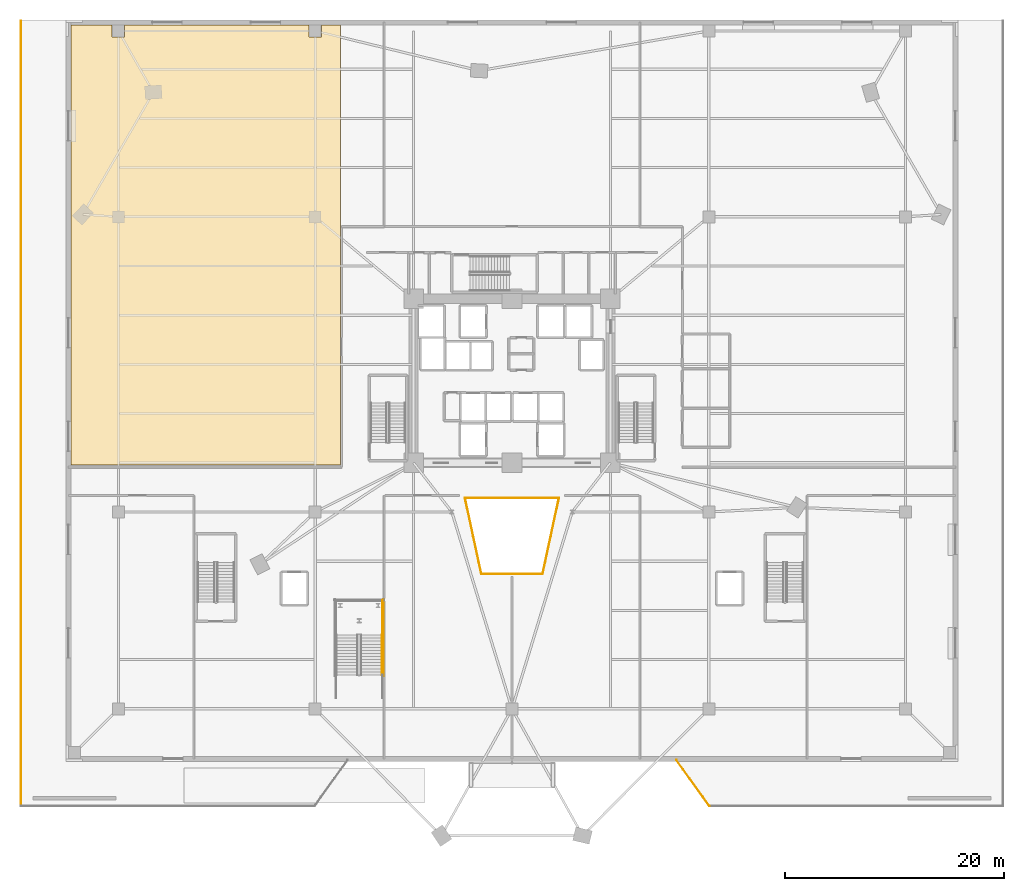
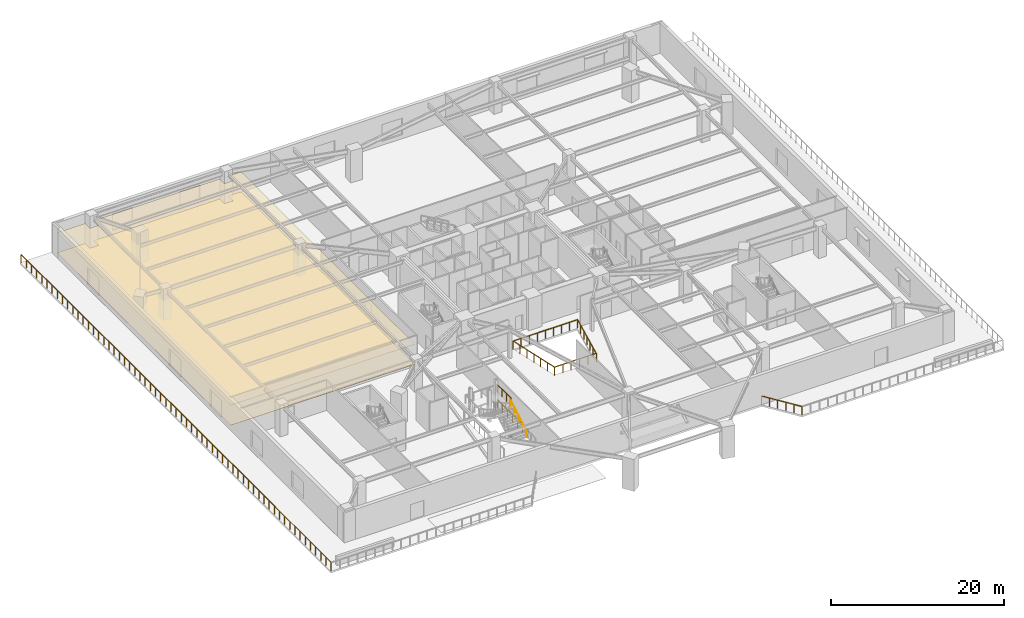
# One storey, part 16 of 19: 9 railings, 2 coverings.
"""IFC4 building model written with IfcOpenShell, lengths in metres."""

from ifc_helpers import new_model, si_unit, direction, frame, origin, origin_2d, place, context, subcontext, project, spatial, polyline, rectangle, outline, extrude, material, layer, layer_set, type_object, element, save


model = new_model("IFC4")

# Units and contexts
model_context = context("Model", 3, precision=1e-05, world=origin(), true_north=direction((0.0, 1.0)))
body_context = subcontext(model_context, "Body", "Model", "MODEL_VIEW")
ifc_project = project(units=[si_unit("LENGTHUNIT", "METRE"), si_unit("AREAUNIT", "SQUARE_METRE"), si_unit("VOLUMEUNIT", "CUBIC_METRE"), si_unit("PLANEANGLEUNIT", "RADIAN"), si_unit("MASSUNIT", "GRAM", prefix="KILO")], contexts=[model_context])

# Site, building, storey
site_placement = place(None, origin())
site = spatial("IfcSite", under=ifc_project, at=site_placement, CompositionType="ELEMENT")
building_placement = place(site_placement, origin())
building = spatial("IfcBuilding", under=site, at=building_placement, Name="Liaohun Quay Tower", CompositionType="ELEMENT")
storey_placement = place(building_placement, frame((0.0, 0.0, 9.89990234375)))
storey = spatial("IfcBuildingStorey", under=building, at=storey_placement, Name="L03", CompositionType="ELEMENT", Elevation=9.89990234375)

# Coverings
ifc_material_1 = material(Name="Mineral-fibre acoustic ceiling tile")
ifc_layer_1 = layer(ifc_material_1, 0.02490234375, Name="Mineral-fibre acoustic ceiling tile")
ifc_layer_set_1 = layer_set([ifc_layer_1], Name="Mineral-fibre acoustic ceiling tile")
covering_type_1 = type_object("IfcCoveringType", Name="COV-CEIL-ACT", PredefinedType="CEILING", material=ifc_layer_set_1)
covering_1_placement = place(storey_placement, frame((0.0, 0.0, 2.85009765625)))
element("IfcCovering", 1, at=covering_1_placement, inside=storey, type_object=covering_type_1, Name="L03 Simultaneous Interpretation Studio Acoustic Ceiling", PredefinedType="CEILING", context=body_context, shape_type="SweptSolid", body=[
    extrude(outline(polyline([(42.570068359375, 86.52001953125), (42.570068359375, 85.429931640625), (41.429931640625, 85.429931640625), (41.429931640625, 86.52001953125), (24.570068359375, 86.52001953125), (24.570068359375, 85.429931640625), (23.429931640625, 85.429931640625), (23.429931640625, 86.52001953125), (19.679931640625, 86.52001953125), (19.679931640625, 46.300048828125), (44.300048828125, 46.300048828125), (44.300048828125, 86.52001953125), (42.570068359375, 86.52001953125)])), origin(), (0.0, 0.0, 1.0), 0.02490234375),
])
ifc_material_2 = material(Name="Calcium-sulphate raised access floor tile")
ifc_layer_2 = layer(ifc_material_2, 0.044921875, Name="Calcium-sulphate raised access floor tile")
ifc_layer_set_2 = layer_set([ifc_layer_2], Name="Calcium-sulphate raised access floor tile")
covering_type_2 = type_object("IfcCoveringType", Name="COV-FLR-RAF", PredefinedType="FLOORING", material=ifc_layer_set_2)
covering_2_placement = place(storey_placement, origin())
element("IfcCovering", 2, at=covering_2_placement, inside=storey, type_object=covering_type_2, Name="L03 Simultaneous Interpretation Studio Floor Finish", PredefinedType="FLOORING", context=body_context, shape_type="SweptSolid", body=[
    extrude(outline(polyline([(42.570068359375, 86.52001953125), (42.570068359375, 85.429931640625), (41.429931640625, 85.429931640625), (41.429931640625, 86.52001953125), (24.570068359375, 86.52001953125), (24.570068359375, 85.429931640625), (23.429931640625, 85.429931640625), (23.429931640625, 86.52001953125), (19.679931640625, 86.52001953125), (19.679931640625, 46.300048828125), (44.300048828125, 46.300048828125), (44.300048828125, 86.52001953125), (42.570068359375, 86.52001953125)])), origin(), (0.0, 0.0, 1.0), 0.045166015625),
])

# Railings
ifc_material_3 = material(Name="Laminated safety glass and stainless steel", Category="steel")
railing_type_1 = type_object("IfcRailingType", Name="RLG-GUARD-ATR", PredefinedType="BALUSTRADE", material=ifc_material_3)
railing_1_placement = place(storey_placement, frame((48.14990234375, 30.739990234375, 2.25)))
element("IfcRailing", 3, at=railing_1_placement, inside=storey, type_object=railing_type_1, Name="L03 ST-A stair guard 3", PredefinedType="BALUSTRADE", context=body_context, shape_type="SweptSolid", body=[
    extrude(rectangle(XDim=0.048095703125, YDim=0.048095703125, at=origin_2d()), frame((0.0, 0.0, 1.1259765625), z_axis=(0.0, 1.0, 0.0), x_axis=(-1.0, 0.0, 0.0)), (0.0, 0.0, 1.0), 3.159912109375),
    extrude(rectangle(XDim=0.0419921875, YDim=0.0419921875, at=origin_2d()), origin(), (0.0, 0.0, 1.0), 1.101806640625),
    extrude(rectangle(XDim=0.0419921875, YDim=0.0419921875, at=origin_2d()), frame((0.0, 1.05322265625, 0.0)), (0.0, 0.0, 1.0), 1.101806640625),
    extrude(rectangle(XDim=0.0419921875, YDim=0.0419921875, at=origin_2d()), frame((0.0, 2.106689453125, 0.0)), (0.0, 0.0, 1.0), 1.101806640625),
    extrude(rectangle(XDim=0.0419921875, YDim=0.0419921875, at=origin_2d()), frame((0.0, 3.159912109375, 0.0)), (0.0, 0.0, 1.0), 1.101806640625),
])
railing_2_placement = place(storey_placement, frame((48.25, 27.0, 0.0)))
element("IfcRailing", 4, at=railing_2_placement, inside=storey, type_object=railing_type_1, Name="L03 ST-A stair guard 10", PredefinedType="BALUSTRADE", context=body_context, shape_type="SweptSolid", body=[
    extrude(rectangle(XDim=0.048095703125, YDim=0.048095703125, at=origin_2d()), frame((0.0, 0.0, 1.1259765625), z_axis=(0.0, 1.0, 0.0), x_axis=(-1.0, 0.0, 0.0)), (0.0, 0.0, 1.0), 7.0),
    extrude(rectangle(XDim=0.0419921875, YDim=0.0419921875, at=origin_2d()), origin(), (0.0, 0.0, 1.0), 1.101806640625),
    extrude(rectangle(XDim=0.0419921875, YDim=0.0419921875, at=origin_2d()), frame((0.0, 1.166748046875, 0.0)), (0.0, 0.0, 1.0), 1.101806640625),
    extrude(rectangle(XDim=0.0419921875, YDim=0.0419921875, at=origin_2d()), frame((0.0, 2.333251953125, 0.0)), (0.0, 0.0, 1.0), 1.101806640625),
    extrude(rectangle(XDim=0.0419921875, YDim=0.0419921875, at=origin_2d()), frame((0.0, 3.5, 0.0)), (0.0, 0.0, 1.0), 1.101806640625),
    extrude(rectangle(XDim=0.0419921875, YDim=0.0419921875, at=origin_2d()), frame((0.0, 4.666748046875, 0.0)), (0.0, 0.0, 1.0), 1.101806640625),
    extrude(rectangle(XDim=0.0419921875, YDim=0.0419921875, at=origin_2d()), frame((0.0, 5.833251953125, 0.0)), (0.0, 0.0, 1.0), 1.101806640625),
    extrude(rectangle(XDim=0.0419921875, YDim=0.0419921875, at=origin_2d()), frame((0.0, 7.0, 0.0)), (0.0, 0.0, 1.0), 1.101806640625),
])
railing_3_placement = place(storey_placement, frame((57.205078125, 36.320068359375, 0.0)))
element("IfcRailing", 5, at=railing_3_placement, inside=storey, type_object=railing_type_1, Name="L03 Atrium Edge Balustrade 1", PredefinedType="BALUSTRADE", context=body_context, shape_type="SweptSolid", body=[
    extrude(rectangle(XDim=0.048095703125, YDim=0.048095703125, at=origin_2d()), frame((0.0, 0.0, 1.17578125), z_axis=(-0.211238067479, 0.977434641727, 0.0), x_axis=(-0.977434641727, -0.211238067479, 0.0)), (0.0, 0.0, 1.0), 7.12060546875),
    extrude(rectangle(XDim=0.0419921875, YDim=0.0419921875, at=origin_2d()), origin(), (0.0, 0.0, 1.0), 1.15185546875),
    extrude(rectangle(XDim=0.0419921875, YDim=0.0419921875, at=origin_2d()), frame((-0.250732421875, 1.159912109375, 0.0)), (0.0, 0.0, 1.0), 1.15185546875),
    extrude(rectangle(XDim=0.0419921875, YDim=0.0419921875, at=origin_2d()), frame((-0.50146484375, 2.320068359375, 0.0)), (0.0, 0.0, 1.0), 1.15185546875),
    extrude(rectangle(XDim=0.0419921875, YDim=0.0419921875, at=origin_2d()), frame((-0.751953125, 3.47998046875, 0.0)), (0.0, 0.0, 1.0), 1.15185546875),
    extrude(rectangle(XDim=0.0419921875, YDim=0.0419921875, at=origin_2d()), frame((-1.002685546875, 4.639892578125, 0.0)), (0.0, 0.0, 1.0), 1.15185546875),
    extrude(rectangle(XDim=0.0419921875, YDim=0.0419921875, at=origin_2d()), frame((-1.25341796875, 5.800048828125, 0.0)), (0.0, 0.0, 1.0), 1.15185546875),
    extrude(rectangle(XDim=0.0419921875, YDim=0.0419921875, at=origin_2d()), frame((-1.504150390625, 6.9599609375, 0.0)), (0.0, 0.0, 1.0), 1.15185546875),
])
railing_4_placement = place(storey_placement, frame((55.700927734375, 43.280029296875, 0.0)))
element("IfcRailing", 6, at=railing_4_placement, inside=storey, type_object=railing_type_1, Name="L03 Atrium Edge Balustrade 2", PredefinedType="BALUSTRADE", context=body_context, shape_type="SweptSolid", body=[
    extrude(rectangle(XDim=0.048095703125, YDim=0.048095703125, at=origin_2d()), frame((0.0, 0.0, 1.17578125), z_axis=(1.0, 0.0, 0.0), x_axis=(0.0, 1.0, 0.0)), (0.0, 0.0, 1.0), 8.59814453125),
    extrude(rectangle(XDim=0.0419921875, YDim=0.0419921875, at=origin_2d()), origin(), (0.0, 0.0, 1.0), 1.15185546875),
    extrude(rectangle(XDim=0.0419921875, YDim=0.0419921875, at=origin_2d()), frame((1.07470703125, 0.0, 0.0)), (0.0, 0.0, 1.0), 1.15185546875),
    extrude(rectangle(XDim=0.0419921875, YDim=0.0419921875, at=origin_2d()), frame((2.1494140625, 0.0, 0.0)), (0.0, 0.0, 1.0), 1.15185546875),
    extrude(rectangle(XDim=0.0419921875, YDim=0.0419921875, at=origin_2d()), frame((3.224365234375, 0.0, 0.0)), (0.0, 0.0, 1.0), 1.15185546875),
    extrude(rectangle(XDim=0.0419921875, YDim=0.0419921875, at=origin_2d()), frame((4.299072265625, 0.0, 0.0)), (0.0, 0.0, 1.0), 1.15185546875),
    extrude(rectangle(XDim=0.0419921875, YDim=0.0419921875, at=origin_2d()), frame((5.373779296875, 0.0, 0.0)), (0.0, 0.0, 1.0), 1.15185546875),
    extrude(rectangle(XDim=0.0419921875, YDim=0.0419921875, at=origin_2d()), frame((6.44873046875, 0.0, 0.0)), (0.0, 0.0, 1.0), 1.15185546875),
    extrude(rectangle(XDim=0.0419921875, YDim=0.0419921875, at=origin_2d()), frame((7.5234375, 0.0, 0.0)), (0.0, 0.0, 1.0), 1.15185546875),
    extrude(rectangle(XDim=0.0419921875, YDim=0.0419921875, at=origin_2d()), frame((8.59814453125, 0.0, 0.0)), (0.0, 0.0, 1.0), 1.15185546875),
])
railing_5_placement = place(storey_placement, frame((64.299072265625, 43.280029296875, 0.0)))
element("IfcRailing", 7, at=railing_5_placement, inside=storey, type_object=railing_type_1, Name="L03 Atrium Edge Balustrade 3", PredefinedType="BALUSTRADE", context=body_context, shape_type="SweptSolid", body=[
    extrude(rectangle(XDim=0.048095703125, YDim=0.048095703125, at=origin_2d()), frame((0.0, 0.0, 1.17578125), z_axis=(-0.211238067479, -0.977434641727, 0.0), x_axis=(0.977434641727, -0.211238067479, 0.0)), (0.0, 0.0, 1.0), 7.12060546875),
    extrude(rectangle(XDim=0.0419921875, YDim=0.0419921875, at=origin_2d()), origin(), (0.0, 0.0, 1.0), 1.15185546875),
    extrude(rectangle(XDim=0.0419921875, YDim=0.0419921875, at=origin_2d()), frame((-0.250732421875, -1.159912109375, 0.0)), (0.0, 0.0, 1.0), 1.15185546875),
    extrude(rectangle(XDim=0.0419921875, YDim=0.0419921875, at=origin_2d()), frame((-0.50146484375, -2.320068359375, 0.0)), (0.0, 0.0, 1.0), 1.15185546875),
    extrude(rectangle(XDim=0.0419921875, YDim=0.0419921875, at=origin_2d()), frame((-0.751953125, -3.47998046875, 0.0)), (0.0, 0.0, 1.0), 1.15185546875),
    extrude(rectangle(XDim=0.0419921875, YDim=0.0419921875, at=origin_2d()), frame((-1.002685546875, -4.639892578125, 0.0)), (0.0, 0.0, 1.0), 1.15185546875),
    extrude(rectangle(XDim=0.0419921875, YDim=0.0419921875, at=origin_2d()), frame((-1.25341796875, -5.800048828125, 0.0)), (0.0, 0.0, 1.0), 1.15185546875),
    extrude(rectangle(XDim=0.0419921875, YDim=0.0419921875, at=origin_2d()), frame((-1.504150390625, -6.9599609375, 0.0)), (0.0, 0.0, 1.0), 1.15185546875),
])
railing_6_placement = place(storey_placement, frame((62.794921875, 36.320068359375, 0.0)))
element("IfcRailing", 8, at=railing_6_placement, inside=storey, type_object=railing_type_1, Name="L03 Atrium Edge Balustrade 4", PredefinedType="BALUSTRADE", context=body_context, shape_type="SweptSolid", body=[
    extrude(rectangle(XDim=0.048095703125, YDim=0.048095703125, at=origin_2d()), frame((0.0, 0.0, 1.17578125), z_axis=(-1.0, 0.0, 0.0), x_axis=(0.0, -1.0, 0.0)), (0.0, 0.0, 1.0), 5.58984375),
    extrude(rectangle(XDim=0.0419921875, YDim=0.0419921875, at=origin_2d()), origin(), (0.0, 0.0, 1.0), 1.15185546875),
    extrude(rectangle(XDim=0.0419921875, YDim=0.0419921875, at=origin_2d()), frame((-1.117919921875, 0.0, 0.0)), (0.0, 0.0, 1.0), 1.15185546875),
    extrude(rectangle(XDim=0.0419921875, YDim=0.0419921875, at=origin_2d()), frame((-2.23583984375, 0.0, 0.0)), (0.0, 0.0, 1.0), 1.15185546875),
    extrude(rectangle(XDim=0.0419921875, YDim=0.0419921875, at=origin_2d()), frame((-3.35400390625, 0.0, 0.0)), (0.0, 0.0, 1.0), 1.15185546875),
    extrude(rectangle(XDim=0.0419921875, YDim=0.0419921875, at=origin_2d()), frame((-4.471923828125, 0.0, 0.0)), (0.0, 0.0, 1.0), 1.15185546875),
    extrude(rectangle(XDim=0.0419921875, YDim=0.0419921875, at=origin_2d()), frame((-5.58984375, 0.0, 0.0)), (0.0, 0.0, 1.0), 1.15185546875),
])
ifc_material_4 = material(Name="Galvanised and powder-coated steel", Category="steel")
railing_type_2 = type_object("IfcRailingType", Name="RLG-GUARD-EXT", PredefinedType="GUARDRAIL", material=ifc_material_4)
railing_7_placement = place(storey_placement, frame((15.10009765625, 15.10009765625, 0.0)))
element("IfcRailing", 9, at=railing_7_placement, inside=storey, type_object=railing_type_2, Name="L03 Stepped Podium Terrace Guardrail 01", PredefinedType="GUARDRAIL", context=body_context, shape_type="SweptSolid", body=[
    extrude(rectangle(XDim=0.048095703125, YDim=0.048095703125, at=origin_2d()), frame((0.0, 0.0, 1.17578125), z_axis=(0.0, 1.0, 0.0), x_axis=(-1.0, 0.0, 0.0)), (0.0, 0.0, 1.0), 71.7998046875),
    extrude(rectangle(XDim=0.0419921875, YDim=0.0419921875, at=origin_2d()), origin(), (0.0, 0.0, 1.0), 1.15185546875),
    extrude(rectangle(XDim=0.0419921875, YDim=0.0419921875, at=origin_2d()), frame((0.0, 1.19677734375, 0.0)), (0.0, 0.0, 1.0), 1.15185546875),
    extrude(rectangle(XDim=0.0419921875, YDim=0.0419921875, at=origin_2d()), frame((0.0, 2.393310546875, 0.0)), (0.0, 0.0, 1.0), 1.15185546875),
    extrude(rectangle(XDim=0.0419921875, YDim=0.0419921875, at=origin_2d()), frame((0.0, 3.590087890625, 0.0)), (0.0, 0.0, 1.0), 1.15185546875),
    extrude(rectangle(XDim=0.0419921875, YDim=0.0419921875, at=origin_2d()), frame((0.0, 4.78662109375, 0.0)), (0.0, 0.0, 1.0), 1.15185546875),
    extrude(rectangle(XDim=0.0419921875, YDim=0.0419921875, at=origin_2d()), frame((0.0, 5.9833984375, 0.0)), (0.0, 0.0, 1.0), 1.15185546875),
    extrude(rectangle(XDim=0.0419921875, YDim=0.0419921875, at=origin_2d()), frame((0.0, 7.179931640625, 0.0)), (0.0, 0.0, 1.0), 1.15185546875),
    extrude(rectangle(XDim=0.0419921875, YDim=0.0419921875, at=origin_2d()), frame((0.0, 8.376708984375, 0.0)), (0.0, 0.0, 1.0), 1.15185546875),
    extrude(rectangle(XDim=0.0419921875, YDim=0.0419921875, at=origin_2d()), frame((0.0, 9.5732421875, 0.0)), (0.0, 0.0, 1.0), 1.15185546875),
    extrude(rectangle(XDim=0.0419921875, YDim=0.0419921875, at=origin_2d()), frame((0.0, 10.77001953125, 0.0)), (0.0, 0.0, 1.0), 1.15185546875),
    extrude(rectangle(XDim=0.0419921875, YDim=0.0419921875, at=origin_2d()), frame((0.0, 11.966552734375, 0.0)), (0.0, 0.0, 1.0), 1.15185546875),
    extrude(rectangle(XDim=0.0419921875, YDim=0.0419921875, at=origin_2d()), frame((0.0, 13.163330078125, 0.0)), (0.0, 0.0, 1.0), 1.15185546875),
    extrude(rectangle(XDim=0.0419921875, YDim=0.0419921875, at=origin_2d()), frame((0.0, 14.35986328125, 0.0)), (0.0, 0.0, 1.0), 1.15185546875),
    extrude(rectangle(XDim=0.0419921875, YDim=0.0419921875, at=origin_2d()), frame((0.0, 15.556640625, 0.0)), (0.0, 0.0, 1.0), 1.15185546875),
    extrude(rectangle(XDim=0.0419921875, YDim=0.0419921875, at=origin_2d()), frame((0.0, 16.753173828125, 0.0)), (0.0, 0.0, 1.0), 1.15185546875),
    extrude(rectangle(XDim=0.0419921875, YDim=0.0419921875, at=origin_2d()), frame((0.0, 17.949951171875, 0.0)), (0.0, 0.0, 1.0), 1.15185546875),
    extrude(rectangle(XDim=0.0419921875, YDim=0.0419921875, at=origin_2d()), frame((0.0, 19.146728515625, 0.0)), (0.0, 0.0, 1.0), 1.15185546875),
    extrude(rectangle(XDim=0.0419921875, YDim=0.0419921875, at=origin_2d()), frame((0.0, 20.34326171875, 0.0)), (0.0, 0.0, 1.0), 1.15185546875),
    extrude(rectangle(XDim=0.0419921875, YDim=0.0419921875, at=origin_2d()), frame((0.0, 21.5400390625, 0.0)), (0.0, 0.0, 1.0), 1.15185546875),
    extrude(rectangle(XDim=0.0419921875, YDim=0.0419921875, at=origin_2d()), frame((0.0, 22.736572265625, 0.0)), (0.0, 0.0, 1.0), 1.15185546875),
    extrude(rectangle(XDim=0.0419921875, YDim=0.0419921875, at=origin_2d()), frame((0.0, 23.933349609375, 0.0)), (0.0, 0.0, 1.0), 1.15185546875),
    extrude(rectangle(XDim=0.0419921875, YDim=0.0419921875, at=origin_2d()), frame((0.0, 25.1298828125, 0.0)), (0.0, 0.0, 1.0), 1.15185546875),
    extrude(rectangle(XDim=0.0419921875, YDim=0.0419921875, at=origin_2d()), frame((0.0, 26.32666015625, 0.0)), (0.0, 0.0, 1.0), 1.15185546875),
    extrude(rectangle(XDim=0.0419921875, YDim=0.0419921875, at=origin_2d()), frame((0.0, 27.523193359375, 0.0)), (0.0, 0.0, 1.0), 1.15185546875),
    extrude(rectangle(XDim=0.0419921875, YDim=0.0419921875, at=origin_2d()), frame((0.0, 28.719970703125, 0.0)), (0.0, 0.0, 1.0), 1.15185546875),
    extrude(rectangle(XDim=0.0419921875, YDim=0.0419921875, at=origin_2d()), frame((0.0, 29.91650390625, 0.0)), (0.0, 0.0, 1.0), 1.15185546875),
    extrude(rectangle(XDim=0.0419921875, YDim=0.0419921875, at=origin_2d()), frame((0.0, 31.11328125, 0.0)), (0.0, 0.0, 1.0), 1.15185546875),
    extrude(rectangle(XDim=0.0419921875, YDim=0.0419921875, at=origin_2d()), frame((0.0, 32.309814453125, 0.0)), (0.0, 0.0, 1.0), 1.15185546875),
    extrude(rectangle(XDim=0.0419921875, YDim=0.0419921875, at=origin_2d()), frame((0.0, 33.506591796875, 0.0)), (0.0, 0.0, 1.0), 1.15185546875),
    extrude(rectangle(XDim=0.0419921875, YDim=0.0419921875, at=origin_2d()), frame((0.0, 34.703125, 0.0)), (0.0, 0.0, 1.0), 1.15185546875),
    extrude(rectangle(XDim=0.0419921875, YDim=0.0419921875, at=origin_2d()), frame((0.0, 35.89990234375, 0.0)), (0.0, 0.0, 1.0), 1.15185546875),
    extrude(rectangle(XDim=0.0419921875, YDim=0.0419921875, at=origin_2d()), frame((0.0, 37.0966796875, 0.0)), (0.0, 0.0, 1.0), 1.15185546875),
    extrude(rectangle(XDim=0.0419921875, YDim=0.0419921875, at=origin_2d()), frame((0.0, 38.293212890625, 0.0)), (0.0, 0.0, 1.0), 1.15185546875),
    extrude(rectangle(XDim=0.0419921875, YDim=0.0419921875, at=origin_2d()), frame((0.0, 39.489990234375, 0.0)), (0.0, 0.0, 1.0), 1.15185546875),
    extrude(rectangle(XDim=0.0419921875, YDim=0.0419921875, at=origin_2d()), frame((0.0, 40.6865234375, 0.0)), (0.0, 0.0, 1.0), 1.15185546875),
    extrude(rectangle(XDim=0.0419921875, YDim=0.0419921875, at=origin_2d()), frame((0.0, 41.88330078125, 0.0)), (0.0, 0.0, 1.0), 1.15185546875),
    extrude(rectangle(XDim=0.0419921875, YDim=0.0419921875, at=origin_2d()), frame((0.0, 43.079833984375, 0.0)), (0.0, 0.0, 1.0), 1.15185546875),
    extrude(rectangle(XDim=0.0419921875, YDim=0.0419921875, at=origin_2d()), frame((0.0, 44.276611328125, 0.0)), (0.0, 0.0, 1.0), 1.15185546875),
    extrude(rectangle(XDim=0.0419921875, YDim=0.0419921875, at=origin_2d()), frame((0.0, 45.47314453125, 0.0)), (0.0, 0.0, 1.0), 1.15185546875),
    extrude(rectangle(XDim=0.0419921875, YDim=0.0419921875, at=origin_2d()), frame((0.0, 46.669921875, 0.0)), (0.0, 0.0, 1.0), 1.15185546875),
    extrude(rectangle(XDim=0.0419921875, YDim=0.0419921875, at=origin_2d()), frame((0.0, 47.866455078125, 0.0)), (0.0, 0.0, 1.0), 1.15185546875),
    extrude(rectangle(XDim=0.0419921875, YDim=0.0419921875, at=origin_2d()), frame((0.0, 49.063232421875, 0.0)), (0.0, 0.0, 1.0), 1.15185546875),
    extrude(rectangle(XDim=0.0419921875, YDim=0.0419921875, at=origin_2d()), frame((0.0, 50.259765625, 0.0)), (0.0, 0.0, 1.0), 1.15185546875),
    extrude(rectangle(XDim=0.0419921875, YDim=0.0419921875, at=origin_2d()), frame((0.0, 51.45654296875, 0.0)), (0.0, 0.0, 1.0), 1.15185546875),
    extrude(rectangle(XDim=0.0419921875, YDim=0.0419921875, at=origin_2d()), frame((0.0, 52.653076171875, 0.0)), (0.0, 0.0, 1.0), 1.15185546875),
    extrude(rectangle(XDim=0.0419921875, YDim=0.0419921875, at=origin_2d()), frame((0.0, 53.849853515625, 0.0)), (0.0, 0.0, 1.0), 1.15185546875),
    extrude(rectangle(XDim=0.0419921875, YDim=0.0419921875, at=origin_2d()), frame((0.0, 55.046630859375, 0.0)), (0.0, 0.0, 1.0), 1.15185546875),
    extrude(rectangle(XDim=0.0419921875, YDim=0.0419921875, at=origin_2d()), frame((0.0, 56.2431640625, 0.0)), (0.0, 0.0, 1.0), 1.15185546875),
    extrude(rectangle(XDim=0.0419921875, YDim=0.0419921875, at=origin_2d()), frame((0.0, 57.43994140625, 0.0)), (0.0, 0.0, 1.0), 1.15185546875),
    extrude(rectangle(XDim=0.0419921875, YDim=0.0419921875, at=origin_2d()), frame((0.0, 58.636474609375, 0.0)), (0.0, 0.0, 1.0), 1.15185546875),
    extrude(rectangle(XDim=0.0419921875, YDim=0.0419921875, at=origin_2d()), frame((0.0, 59.833251953125, 0.0)), (0.0, 0.0, 1.0), 1.15185546875),
    extrude(rectangle(XDim=0.0419921875, YDim=0.0419921875, at=origin_2d()), frame((0.0, 61.02978515625, 0.0)), (0.0, 0.0, 1.0), 1.15185546875),
    extrude(rectangle(XDim=0.0419921875, YDim=0.0419921875, at=origin_2d()), frame((0.0, 62.2265625, 0.0)), (0.0, 0.0, 1.0), 1.15185546875),
    extrude(rectangle(XDim=0.0419921875, YDim=0.0419921875, at=origin_2d()), frame((0.0, 63.423095703125, 0.0)), (0.0, 0.0, 1.0), 1.15185546875),
    extrude(rectangle(XDim=0.0419921875, YDim=0.0419921875, at=origin_2d()), frame((0.0, 64.619873046875, 0.0)), (0.0, 0.0, 1.0), 1.15185546875),
    extrude(rectangle(XDim=0.0419921875, YDim=0.0419921875, at=origin_2d()), frame((0.0, 65.81640625, 0.0)), (0.0, 0.0, 1.0), 1.15185546875),
    extrude(rectangle(XDim=0.0419921875, YDim=0.0419921875, at=origin_2d()), frame((0.0, 67.01318359375, 0.0)), (0.0, 0.0, 1.0), 1.15185546875),
    extrude(rectangle(XDim=0.0419921875, YDim=0.0419921875, at=origin_2d()), frame((0.0, 68.209716796875, 0.0)), (0.0, 0.0, 1.0), 1.15185546875),
    extrude(rectangle(XDim=0.0419921875, YDim=0.0419921875, at=origin_2d()), frame((0.0, 69.406494140625, 0.0)), (0.0, 0.0, 1.0), 1.15185546875),
    extrude(rectangle(XDim=0.0419921875, YDim=0.0419921875, at=origin_2d()), frame((0.0, 70.60302734375, 0.0)), (0.0, 0.0, 1.0), 1.15185546875),
    extrude(rectangle(XDim=0.0419921875, YDim=0.0419921875, at=origin_2d()), frame((0.0, 71.7998046875, 0.0)), (0.0, 0.0, 1.0), 1.15185546875),
])
railing_8_placement = place(storey_placement, frame((78.051025390625, 15.10009765625, 0.0)))
element("IfcRailing", 10, at=railing_8_placement, inside=storey, type_object=railing_type_2, Name="L03 Stepped Podium Terrace Guardrail 04", PredefinedType="GUARDRAIL", context=body_context, shape_type="SweptSolid", body=[
    extrude(rectangle(XDim=0.048095703125, YDim=0.048095703125, at=origin_2d()), frame((0.0, 0.0, 1.17578125), z_axis=(-0.581242668191, 0.813730275137, 0.0), x_axis=(-0.813730275137, -0.581242668191, 0.0)), (0.0, 0.0, 1.0), 5.161376953125),
    extrude(rectangle(XDim=0.0419921875, YDim=0.0419921875, at=origin_2d()), origin(), (0.0, 0.0, 1.0), 1.15185546875),
    extrude(rectangle(XDim=0.0419921875, YDim=0.0419921875, at=origin_2d()), frame((-0.60009765625, 0.840087890625, 0.0)), (0.0, 0.0, 1.0), 1.15185546875),
    extrude(rectangle(XDim=0.0419921875, YDim=0.0419921875, at=origin_2d()), frame((-1.199951171875, 1.679931640625, 0.0)), (0.0, 0.0, 1.0), 1.15185546875),
    extrude(rectangle(XDim=0.0419921875, YDim=0.0419921875, at=origin_2d()), frame((-1.800048828125, 2.52001953125, 0.0)), (0.0, 0.0, 1.0), 1.15185546875),
    extrude(rectangle(XDim=0.0419921875, YDim=0.0419921875, at=origin_2d()), frame((-2.39990234375, 3.35986328125, 0.0)), (0.0, 0.0, 1.0), 1.15185546875),
    extrude(rectangle(XDim=0.0419921875, YDim=0.0419921875, at=origin_2d()), frame((-3.0, 4.199951171875, 0.0)), (0.0, 0.0, 1.0), 1.15185546875),
])
ifc_material_5 = material(Name="Brushed stainless steel", Category="steel")
railing_type_3 = type_object("IfcRailingType", Name="RLG-HND-STR", PredefinedType="HANDRAIL", material=ifc_material_5)
railing_9_placement = place(storey_placement, frame((48.1201171875, 27.10009765625, 0.160888671875)))
element("IfcRailing", 11, at=railing_9_placement, inside=storey, type_object=railing_type_3, Name="L03 ST-A stair handrail 1", PredefinedType="HANDRAIL", context=body_context, shape_type="SweptSolid", body=[
    extrude(rectangle(XDim=0.048095703125, YDim=0.048095703125, at=origin_2d()), frame((0.0, 0.0, 0.8759765625), z_axis=(0.0, 0.867300072446, 0.497785681127), x_axis=(-1.0, 0.0, 0.0)), (0.0, 0.0, 1.0), 4.19677734375),
    extrude(rectangle(XDim=0.0419921875, YDim=0.0419921875, at=origin_2d()), origin(), (0.0, 0.0, 1.0), 0.851806640625),
    extrude(rectangle(XDim=0.0419921875, YDim=0.0419921875, at=origin_2d()), frame((0.0, 0.909912109375, 0.522216796875)), (0.0, 0.0, 1.0), 0.851806640625),
    extrude(rectangle(XDim=0.0419921875, YDim=0.0419921875, at=origin_2d()), frame((0.0, 1.81982421875, 1.04443359375)), (0.0, 0.0, 1.0), 0.851806640625),
    extrude(rectangle(XDim=0.0419921875, YDim=0.0419921875, at=origin_2d()), frame((0.0, 2.72998046875, 1.56689453125)), (0.0, 0.0, 1.0), 0.851806640625),
    extrude(rectangle(XDim=0.0419921875, YDim=0.0419921875, at=origin_2d()), frame((0.0, 3.639892578125, 2.089111328125)), (0.0, 0.0, 1.0), 0.851806640625),
])

save(model, "model.ifc")
